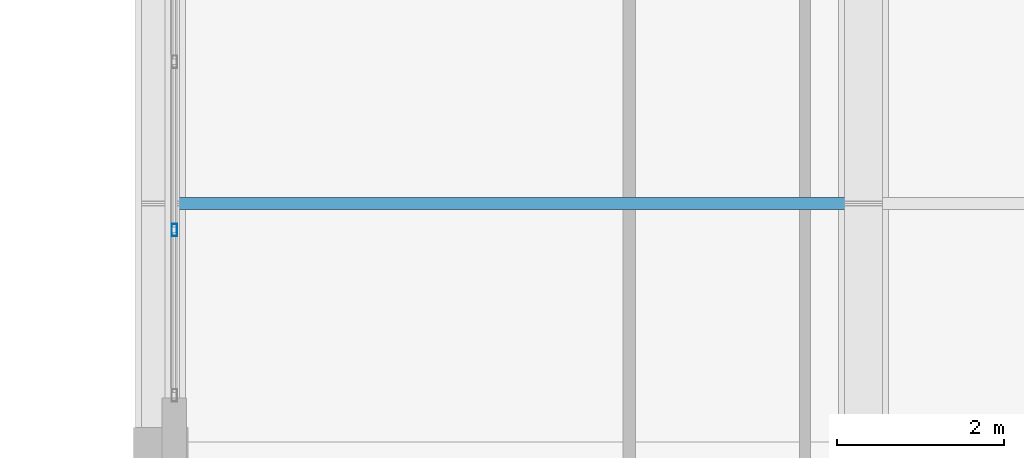
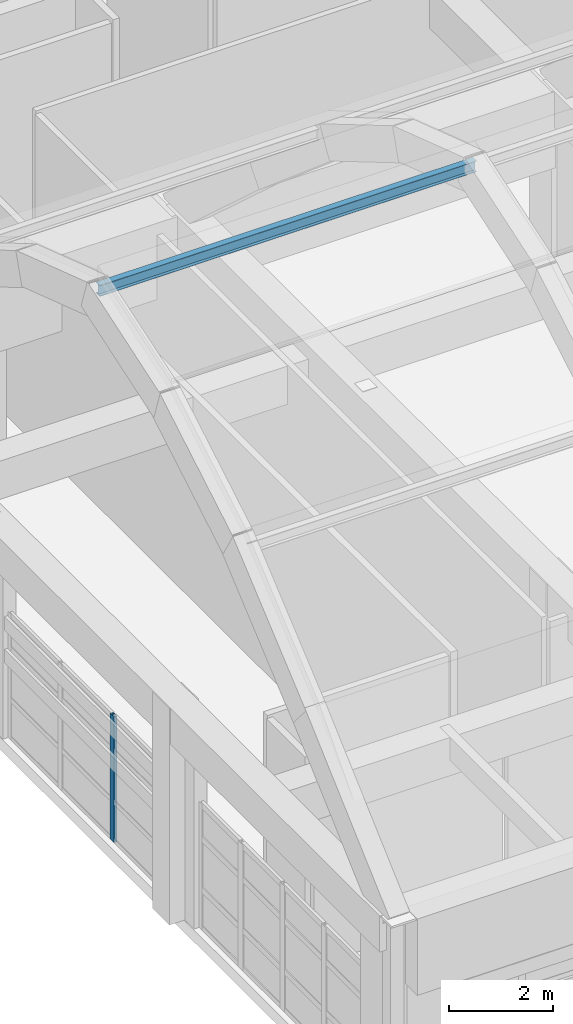
# One storey, part 33 of 103: 2 members, 1 element without a shape of its own.
"""IFC4 building model written with IfcOpenShell, lengths in metres."""

from ifc_helpers import new_model, si_unit, direction, frame, origin, origin_2d, place, context, subcontext, project, spatial, hollow_rectangle, i_section, extrude, material, layer, layer_set, material_profile, profile_set, type_object, element, aggregate, save


model = new_model("IFC4")

# Units and contexts
model_context = context("Model", 3, precision=1e-05, world=origin(), true_north=direction((0.0, 1.0)))
body_context = subcontext(model_context, "Body", "Model", "MODEL_VIEW")
ifc_project = project(units=[si_unit("LENGTHUNIT", "METRE"), si_unit("AREAUNIT", "SQUARE_METRE"), si_unit("VOLUMEUNIT", "CUBIC_METRE"), si_unit("PLANEANGLEUNIT", "RADIAN"), si_unit("MASSUNIT", "GRAM", prefix="KILO")], contexts=[model_context])

# Site, building, storey
site_placement = place(None, origin())
site = spatial("IfcSite", under=ifc_project, at=site_placement, CompositionType="ELEMENT")
building_placement = place(site_placement, origin())
building = spatial("IfcBuilding", under=site, at=building_placement, Name="Quendrovan Civic Courthouse", CompositionType="ELEMENT")
storey_placement = place(building_placement, frame((0.0, 0.0, 15.300048828125)))
storey = spatial("IfcBuildingStorey", under=building, at=storey_placement, Name="L04", CompositionType="ELEMENT", Elevation=15.300048828125)

# Curtain wall, member
ifc_material_1 = material(Name="Bronze anodised aluminium and low-E glass", Category="aluminium")
ifc_layer = layer(ifc_material_1, 0.179931640625, Name="Bronze anodised aluminium and low-E glass")
ifc_layer_set = layer_set([ifc_layer], Name="Bronze anodised aluminium and low-E glass")
curtain_wall_type = type_object("IfcCurtainWallType", Name="CW-U60x30", PredefinedType="USERDEFINED", material=ifc_layer_set)
curtain_wall_placement = place(storey_placement, origin())
curtain_wall = element("IfcCurtainWall", 1, at=curtain_wall_placement, inside=storey, type_object=curtain_wall_type, Name="L04 Unitised Hurricane Curtain Wall CW-165", ObjectType="UNITISED CURTAIN WALL", PredefinedType="USERDEFINED")
ifc_material_2 = material(Name="Bronze anodised aluminium", Category="aluminium")
ifc_material_profile_1 = material_profile(ifc_material_2, hollow_rectangle(XDim=0.06494140625, YDim=0.14990234375, WallThickness=0.00390625, at=origin_2d()), Name="CW-MULL-65x150")
ifc_profile_set_1 = profile_set([ifc_material_profile_1], Name="Bronze anodised aluminium")
member_type_1 = type_object("IfcMemberType", Name="CW-MULL-B", PredefinedType="MULLION", material=ifc_profile_set_1)
member_1_placement = place(storey_placement, frame((33.764892578125, 75.88330078125, 0.0), z_axis=(0.0, 0.0, 1.0), x_axis=(-1.0, 0.0, 0.0)))
member_1 = element("IfcMember", 2, at=member_1_placement, type_object=member_type_1, Name="CW-165 mullion 2", PredefinedType="MULLION", context=body_context, shape_type="SweptSolid", body=[
    extrude(hollow_rectangle(XDim=0.06494140625, YDim=0.14990234375, WallThickness=0.00390625, at=origin_2d()), origin(), (0.0, 0.0, 1.0), 2.969970703125),
])
aggregate(curtain_wall, [member_1])

# Member
ifc_material_3 = material(Name="Steel ASTM A992 Grade 50", Category="steel")
ifc_material_profile_2 = material_profile(ifc_material_3, i_section(OverallWidth=0.14599609375, OverallDepth=0.258056640625, WebThickness=0.006103515625, FlangeThickness=0.009033203125, at=origin_2d()), Name="W250x33")
ifc_profile_set_2 = profile_set([ifc_material_profile_2], Name="Steel ASTM A992 Grade 50")
member_type_2 = type_object("IfcMemberType", Name="MEM-PUR-W250", PredefinedType="PURLIN", material=ifc_profile_set_2)
member_2_placement = place(storey_placement, frame((33.60009765625, 76.199951171875, 12.85986328125), z_axis=(1.0, 0.0, 0.0), x_axis=(0.0, 1.0, 0.0)))
element("IfcMember", 3, at=member_2_placement, inside=storey, type_object=member_type_2, Name="BV2 Vault Longitudinal Purlin B1-2", PredefinedType="PURLIN", context=body_context, shape_type="SweptSolid", body=[
    extrude(i_section(OverallWidth=0.14599609375, OverallDepth=0.258056640625, WebThickness=0.006103515625, FlangeThickness=0.009033203125, at=origin_2d()), origin(), (0.0, 0.0, 1.0), 8.39990234375),
])

save(model, "model.ifc")
